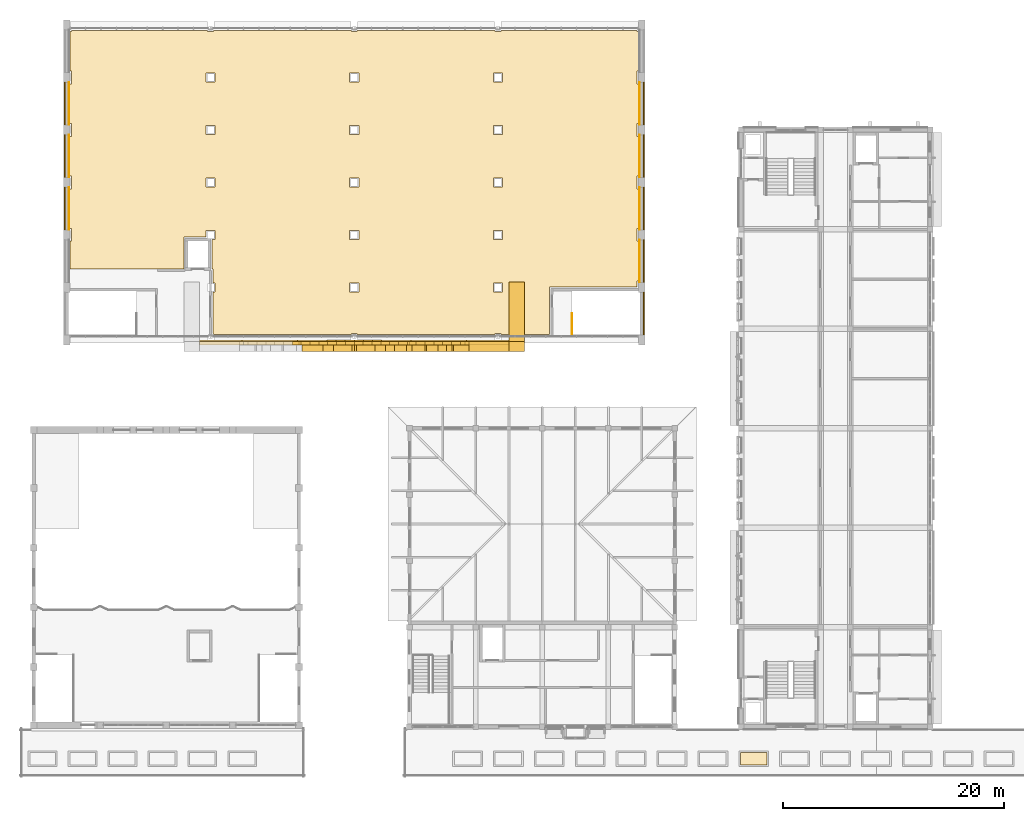
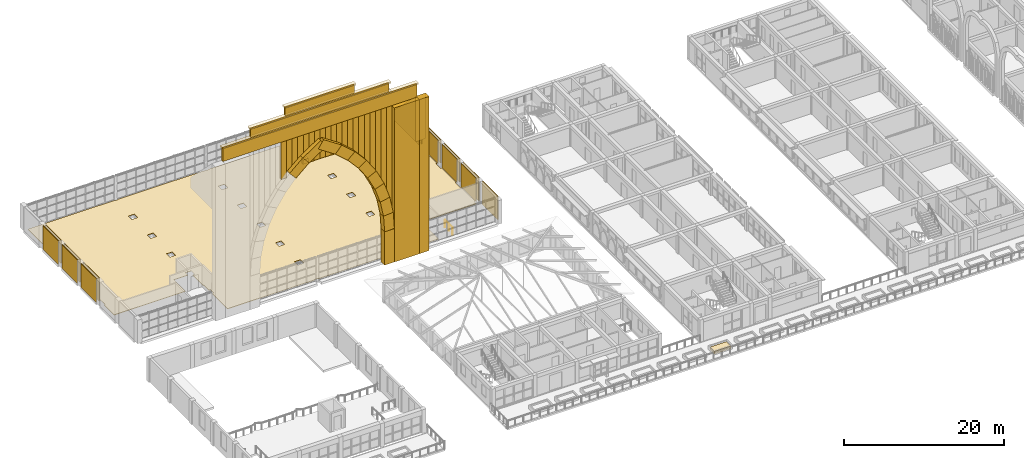
# One storey, part 70 of 82: 63 coverings, 1 railing.
"""IFC4 building model written with IfcOpenShell, lengths in metres."""

from ifc_helpers import new_model, si_unit, direction, frame, frame_2d, origin, origin_2d, place, context, subcontext, project, spatial, polyline, rectangle, circle, outline, extrude, material, layer, layer_set, type_object, element, save


model = new_model("IFC4")

# Units and contexts
model_context = context("Model", 3, precision=1e-05, world=origin(), true_north=direction((0.0, 1.0)))
body_context = subcontext(model_context, "Body", "Model", "MODEL_VIEW")
ifc_project = project(units=[si_unit("LENGTHUNIT", "METRE"), si_unit("AREAUNIT", "SQUARE_METRE"), si_unit("VOLUMEUNIT", "CUBIC_METRE"), si_unit("PLANEANGLEUNIT", "RADIAN"), si_unit("MASSUNIT", "GRAM", prefix="KILO")], contexts=[model_context])

# Site, building, storey
site_placement = place(None, origin())
site = spatial("IfcSite", under=ifc_project, at=site_placement, CompositionType="ELEMENT")
building_placement = place(site_placement, origin())
building = spatial("IfcBuilding", under=site, at=building_placement, Name="Elbe Cascade School", CompositionType="ELEMENT")
storey_placement = place(building_placement, frame((0.0, 0.0, 4.5)))
storey = spatial("IfcBuildingStorey", under=building, at=storey_placement, Name="L01", CompositionType="ELEMENT", Elevation=4.5)

# Coverings
ifc_material_1 = material(Name="Brick masonry - red clinker", Category="masonry")
ifc_layer_1 = layer(ifc_material_1, 0.10009765625)
ifc_layer_set_1 = layer_set([ifc_layer_1], Name="Brick masonry - red clinker")
covering_type_1 = type_object("IfcCoveringType", Name="Hall brick cladding first storey 3600", PredefinedType="CLADDING", material=ifc_layer_set_1)
for number, where, z_axis, x_axis, name in (
    (1, (7.800048828125, 52.875, 0.0), (0.0, 0.0, 1.0), (1.0, 0.0, 0.0), "Brick cladding W3"),
    (2, (7.800048828125, 57.625, 0.0), (0.0, 0.0, 1.0), (1.0, 0.0, 0.0), "Brick cladding W4"),
    (3, (7.800048828125, 62.375, 0.0), (0.0, 0.0, 1.0), (1.0, 0.0, 0.0), "Brick cladding W5"),
    (4, (60.199951171875, 43.375, 0.0), (0.0, 0.0, 1.0), (1.0, 0.0, 0.0), "Brick cladding E1"),
    (5, (60.199951171875, 48.125, 0.0), (0.0, 0.0, 1.0), (1.0, 0.0, 0.0), "Brick cladding E2"),
    (6, (60.199951171875, 52.875, 0.0), (0.0, 0.0, 1.0), (1.0, 0.0, 0.0), "Brick cladding E3"),
    (7, (60.199951171875, 57.625, 0.0), (0.0, 0.0, 1.0), (1.0, 0.0, 0.0), "Brick cladding E4"),
    (8, (60.199951171875, 62.375, 0.0), (0.0, 0.0, 1.0), (1.0, 0.0, 0.0), "Brick cladding E5"),
):
    element("IfcCovering", number, at=place(storey_placement, frame(where, z_axis=z_axis, x_axis=x_axis)), inside=storey, type_object=covering_type_1, Name=name, PredefinedType="CLADDING", context=body_context, shape_type="SweptSolid", body=[
        extrude(rectangle(XDim=0.10009765625, YDim=3.85009765625, at=origin_2d()), origin(), (0.0, 0.0, 1.0), 3.60009765625),
    ])
ifc_material_2 = material(Name="Timber - impact-resistant panel", Category="wood")
ifc_layer_2 = layer(ifc_material_2, 0.0400390625)
ifc_layer_set_2 = layer_set([ifc_layer_2], Name="Timber - impact-resistant panel")
covering_type_2 = type_object("IfcCoveringType", Name="Hall impact lining lower course 3600", PredefinedType="CLADDING", material=ifc_layer_set_2)
for number, where, z_axis, x_axis, name in (
    (9, (8.169921875, 52.875, 0.0), (0.0, 0.0, 1.0), (1.0, 0.0, 0.0), "Impact lining W3"),
    (10, (8.169921875, 57.625, 0.0), (0.0, 0.0, 1.0), (1.0, 0.0, 0.0), "Impact lining W4"),
    (11, (8.169921875, 62.375, 0.0), (0.0, 0.0, 1.0), (1.0, 0.0, 0.0), "Impact lining W5"),
    (12, (59.830078125, 48.125, 0.0), (0.0, 0.0, 1.0), (1.0, 0.0, 0.0), "Impact lining E2"),
    (13, (59.830078125, 52.875, 0.0), (0.0, 0.0, 1.0), (1.0, 0.0, 0.0), "Impact lining E3"),
    (14, (59.830078125, 57.625, 0.0), (0.0, 0.0, 1.0), (1.0, 0.0, 0.0), "Impact lining E4"),
    (15, (59.830078125, 62.375, 0.0), (0.0, 0.0, 1.0), (1.0, 0.0, 0.0), "Impact lining E5"),
):
    element("IfcCovering", number, at=place(storey_placement, frame(where, z_axis=z_axis, x_axis=x_axis)), inside=storey, type_object=covering_type_2, Name=name, PredefinedType="CLADDING", context=body_context, shape_type="SweptSolid", body=[
        extrude(rectangle(XDim=0.0400390625, YDim=3.85009765625, at=origin_2d()), origin(), (0.0, 0.0, 1.0), 3.60009765625),
    ])
ifc_material_3 = material(Name="Sandstone - red, precast facing", Category="masonry")
covering_type_3 = type_object("IfcCoveringType", Name="Hall pishtaq arch band 1400 x 900", PredefinedType="CLADDING", material=ifc_material_3)
covering_1_placement = place(storey_placement, frame((29.739501953125, 40.409912109375, 18.289794921875), z_axis=(0.751809978576, 0.0, 0.659379826893), x_axis=(0.0, 1.0, 0.0)))
element("IfcCovering", 16, at=covering_1_placement, inside=storey, type_object=covering_type_3, Name="Hall pishtaq arch band 1400 x 900 CV90", PredefinedType="CLADDING", context=body_context, shape_type="SweptSolid", body=[
    extrude(rectangle(XDim=0.89990234375, YDim=1.39990234375, at=origin_2d()), origin(), (0.0, 0.0, 1.0), 2.546142578125),
])
covering_2_placement = place(storey_placement, frame((31.57470703125, 40.409912109375, 19.907958984375), z_axis=(0.831465951312, 0.0, 0.555575712041), x_axis=(0.0, 1.0, 0.0)))
element("IfcCovering", 17, at=covering_2_placement, inside=storey, type_object=covering_type_3, Name="Hall pishtaq arch band 1400 x 900 CV90", PredefinedType="CLADDING", context=body_context, shape_type="SweptSolid", body=[
    extrude(rectangle(XDim=0.89990234375, YDim=1.39990234375, at=origin_2d()), origin(), (0.0, 0.0, 1.0), 3.152099609375),
])
covering_3_placement = place(storey_placement, frame((43.699951171875, 40.409912109375, 5.10009765625), z_axis=(-0.065434839137, 0.0, 0.997856844356), x_axis=(0.0, -1.0, 0.0)))
element("IfcCovering", 18, at=covering_3_placement, inside=storey, type_object=covering_type_3, Name="Hall pishtaq arch band 1400 x 900 CV90", PredefinedType="CLADDING", context=body_context, shape_type="SweptSolid", body=[
    extrude(rectangle(XDim=0.89990234375, YDim=1.39990234375, at=origin_2d()), origin(), (0.0, 0.0, 1.0), 2.49609375),
])
covering_4_placement = place(storey_placement, frame((43.5498046875, 40.409912109375, 7.49169921875), z_axis=(-0.195120333973, 0.0, 0.980779310176), x_axis=(0.0, -1.0, 0.0)))
element("IfcCovering", 19, at=covering_4_placement, inside=storey, type_object=covering_type_3, Name="Hall pishtaq arch band 1400 x 900 CV90", PredefinedType="CLADDING", context=body_context, shape_type="SweptSolid", body=[
    extrude(rectangle(XDim=0.89990234375, YDim=1.39990234375, at=origin_2d()), origin(), (0.0, 0.0, 1.0), 2.546142578125),
])
covering_5_placement = place(storey_placement, frame((43.078857421875, 40.409912109375, 9.892578125), z_axis=(-0.321429937708, 0.0, 0.946933363624), x_axis=(0.0, -1.0, 0.0)))
element("IfcCovering", 20, at=covering_5_placement, inside=storey, type_object=covering_type_3, Name="Hall pishtaq arch band 1400 x 900 CV90", PredefinedType="CLADDING", context=body_context, shape_type="SweptSolid", body=[
    extrude(rectangle(XDim=0.89990234375, YDim=1.39990234375, at=origin_2d()), origin(), (0.0, 0.0, 1.0), 2.5458984375),
])
for number, where, z_axis, x_axis, name in (
    (21, (42.298583984375, 40.409912109375, 12.211181640625), (-0.442220637859, 0.0, 0.896906298033), (0.0, -1.0, 0.0), "Hall pishtaq arch band 1400 x 900 CV90"),
    (22, (41.222412109375, 40.409912109375, 14.408447265625), (-0.555585018202, 0.0, 0.83145973297), (0.0, -1.0, 0.0), "Hall pishtaq arch band 1400 x 900 CV90"),
    (23, (39.86865234375, 40.409912109375, 16.4462890625), (-0.659325627554, 0.0, 0.751857511002), (0.0, -1.0, 0.0), "Hall pishtaq arch band 1400 x 900 CV90"),
    (24, (38.260498046875, 40.409912109375, 18.289794921875), (-0.751809978576, 0.0, 0.659379826893), (0.0, -1.0, 0.0), "Hall pishtaq arch band 1400 x 900 CV90"),
):
    element("IfcCovering", number, at=place(storey_placement, frame(where, z_axis=z_axis, x_axis=x_axis)), inside=storey, type_object=covering_type_3, Name=name, PredefinedType="CLADDING", context=body_context, shape_type="SweptSolid", body=[
        extrude(rectangle(XDim=0.89990234375, YDim=1.39990234375, at=origin_2d()), origin(), (0.0, 0.0, 1.0), 2.546142578125),
    ])
covering_6_placement = place(storey_placement, frame((36.42529296875, 40.409912109375, 19.907958984375), z_axis=(-0.831465951312, 0.0, 0.555575712041), x_axis=(0.0, -1.0, 0.0)))
element("IfcCovering", 25, at=covering_6_placement, inside=storey, type_object=covering_type_3, Name="Hall pishtaq arch band 1400 x 900 CV90", PredefinedType="CLADDING", context=body_context, shape_type="SweptSolid", body=[
    extrude(rectangle(XDim=0.89990234375, YDim=1.39990234375, at=origin_2d()), origin(), (0.0, 0.0, 1.0), 3.152099609375),
])
ifc_material_4 = material(Name="Sandstone - red, precast facing", Category="masonry")
ifc_layer_3 = layer(ifc_material_4, 1.39990234375)
ifc_layer_set_3 = layer_set([ifc_layer_3], Name="Sandstone - red, precast facing")
covering_type_4 = type_object("IfcCoveringType", Name="Hall pishtaq buttress 1400", PredefinedType="CLADDING", material=ifc_layer_set_3)
covering_7_placement = place(storey_placement, frame((48.699951171875, 40.860107421875, 0.0), z_axis=(0.0, 0.0, 1.0), x_axis=(0.0, -1.0, 0.0)))
element("IfcCovering", 26, at=covering_7_placement, inside=storey, type_object=covering_type_4, Name="Hall pishtaq buttress 1400 CV84", PredefinedType="CLADDING", context=body_context, shape_type="SweptSolid", body=[
    extrude(rectangle(XDim=0.900146484375, YDim=1.39990234375, at=frame_2d((0.4501953125, 0.0))), origin(), (0.0, 0.0, 1.0), 23.5),
])
covering_8_placement = place(storey_placement, frame((48.699951171875, 40.860107421875, 16.5283203125), z_axis=(0.0, 0.0, 1.0), x_axis=(0.0, 1.0, 0.0)))
element("IfcCovering", 27, at=covering_8_placement, inside=storey, type_object=covering_type_4, Name="Hall pishtaq buttress 1400 CV84", PredefinedType="CLADDING", context=body_context, shape_type="SweptSolid", body=[
    extrude(outline(polyline([(0.0, 0.0), (5.39990234375, 0.0), (5.39990234375, 1.57177734375), (0.0, 6.9716796875), (0.0, 0.0)])), frame((0.0, 0.699951171875, 0.0), z_axis=(0.0, -1.0, 0.0), x_axis=(1.0, 0.0, 0.0)), (0.0, 0.0, 1.0), 1.39990234375),
])
ifc_material_5 = material(Name="Sandstone - red, precast facing", Category="masonry")
ifc_layer_4 = layer(ifc_material_5, 0.300048828125)
ifc_layer_set_4 = layer_set([ifc_layer_4], Name="Sandstone - red, precast facing")
covering_type_5 = type_object("IfcCoveringType", Name="Hall pishtaq cladding 300", PredefinedType="CLADDING", material=ifc_layer_set_4)
covering_9_placement = place(storey_placement, frame((20.0, 40.7099609375, 23.5), z_axis=(0.0, 0.0, 1.0), x_axis=(1.0, 0.0, 0.0)))
element("IfcCovering", 28, at=covering_9_placement, inside=storey, type_object=covering_type_5, Name="Hall pishtaq cladding 300 CV86", PredefinedType="CLADDING", context=body_context, shape_type="SweptSolid", body=[
    extrude(rectangle(XDim=28.0, YDim=0.300048828125, at=frame_2d((14.0, 0.0))), origin(), (0.0, 0.0, 1.0), 2.0),
])
covering_10_placement = place(storey_placement, frame((24.0, 40.7099609375, 25.75), z_axis=(0.0, 0.0, 1.0), x_axis=(1.0, 0.0, 0.0)))
element("IfcCovering", 29, at=covering_10_placement, inside=storey, type_object=covering_type_5, Name="Hall pishtaq cladding 300 CV86", PredefinedType="CLADDING", context=body_context, shape_type="SweptSolid", body=[
    extrude(rectangle(XDim=20.0, YDim=0.300048828125, at=frame_2d((10.0, 0.0))), origin(), (0.0, 0.0, 1.0), 1.300048828125),
])
covering_11_placement = place(storey_placement, frame((29.0, 40.7099609375, 27.300048828125), z_axis=(0.0, 0.0, 1.0), x_axis=(1.0, 0.0, 0.0)))
element("IfcCovering", 30, at=covering_11_placement, inside=storey, type_object=covering_type_5, Name="Hall pishtaq cladding 300 CV86", PredefinedType="CLADDING", context=body_context, shape_type="SweptSolid", body=[
    extrude(rectangle(XDim=10.0, YDim=0.300048828125, at=frame_2d((5.0, 0.0))), origin(), (0.0, 0.0, 1.0), 1.25),
])
covering_12_placement = place(storey_placement, frame((34.0, 40.7099609375, 21.792724609375), z_axis=(0.0, 0.0, 1.0), x_axis=(1.0, 0.0, 0.0)))
element("IfcCovering", 31, at=covering_12_placement, inside=storey, type_object=covering_type_5, Name="Hall pishtaq cladding 300 CV86", PredefinedType="CLADDING", context=body_context, shape_type="SweptSolid", body=[
    extrude(rectangle(XDim=0.800048828125, YDim=0.300048828125, at=frame_2d((0.39990234375, 0.0))), origin(), (0.0, 0.0, 1.0), 1.707275390625),
])
covering_13_placement = place(storey_placement, frame((34.800048828125, 40.7099609375, 21.298095703125), z_axis=(0.0, 0.0, 1.0), x_axis=(1.0, 0.0, 0.0)))
element("IfcCovering", 32, at=covering_13_placement, inside=storey, type_object=covering_type_5, Name="Hall pishtaq cladding 300 CV86", PredefinedType="CLADDING", context=body_context, shape_type="SweptSolid", body=[
    extrude(rectangle(XDim=0.800048828125, YDim=0.300048828125, at=frame_2d((0.39990234375, 0.0))), origin(), (0.0, 0.0, 1.0), 2.201904296875),
])
covering_14_placement = place(storey_placement, frame((35.60009765625, 40.7099609375, 20.7470703125), z_axis=(0.0, 0.0, 1.0), x_axis=(1.0, 0.0, 0.0)))
element("IfcCovering", 33, at=covering_14_placement, inside=storey, type_object=covering_type_5, Name="Hall pishtaq cladding 300 CV86", PredefinedType="CLADDING", context=body_context, shape_type="SweptSolid", body=[
    extrude(rectangle(XDim=0.7998046875, YDim=0.300048828125, at=frame_2d((0.39990234375, 0.0))), origin(), (0.0, 0.0, 1.0), 2.7529296875),
])
covering_15_placement = place(storey_placement, frame((36.39990234375, 40.7099609375, 20.1337890625), z_axis=(0.0, 0.0, 1.0), x_axis=(1.0, 0.0, 0.0)))
element("IfcCovering", 34, at=covering_15_placement, inside=storey, type_object=covering_type_5, Name="Hall pishtaq cladding 300 CV86", PredefinedType="CLADDING", context=body_context, shape_type="SweptSolid", body=[
    extrude(rectangle(XDim=0.800048828125, YDim=0.300048828125, at=frame_2d((0.39990234375, 0.0))), origin(), (0.0, 0.0, 1.0), 3.3662109375),
])
covering_16_placement = place(storey_placement, frame((37.199951171875, 40.7099609375, 19.449951171875), z_axis=(0.0, 0.0, 1.0), x_axis=(1.0, 0.0, 0.0)))
element("IfcCovering", 35, at=covering_16_placement, inside=storey, type_object=covering_type_5, Name="Hall pishtaq cladding 300 CV86", PredefinedType="CLADDING", context=body_context, shape_type="SweptSolid", body=[
    extrude(rectangle(XDim=0.800048828125, YDim=0.300048828125, at=frame_2d((0.39990234375, 0.0))), origin(), (0.0, 0.0, 1.0), 4.050048828125),
])
covering_17_placement = place(storey_placement, frame((38.0, 40.7099609375, 18.685302734375), z_axis=(0.0, 0.0, 1.0), x_axis=(1.0, 0.0, 0.0)))
element("IfcCovering", 36, at=covering_17_placement, inside=storey, type_object=covering_type_5, Name="Hall pishtaq cladding 300 CV86", PredefinedType="CLADDING", context=body_context, shape_type="SweptSolid", body=[
    extrude(rectangle(XDim=0.800048828125, YDim=0.300048828125, at=frame_2d((0.39990234375, 0.0))), origin(), (0.0, 0.0, 1.0), 4.814697265625),
])
for number, where, z_axis, x_axis, name in (
    (37, (28.39990234375, 40.7099609375, 17.824951171875), (0.0, 0.0, 1.0), (1.0, 0.0, 0.0), "Hall pishtaq cladding 300 CV86"),
    (38, (38.800048828125, 40.7099609375, 17.824951171875), (0.0, 0.0, 1.0), (1.0, 0.0, 0.0), "Hall pishtaq cladding 300 CV86"),
):
    element("IfcCovering", number, at=place(storey_placement, frame(where, z_axis=z_axis, x_axis=x_axis)), inside=storey, type_object=covering_type_5, Name=name, PredefinedType="CLADDING", context=body_context, shape_type="SweptSolid", body=[
        extrude(rectangle(XDim=0.800048828125, YDim=0.300048828125, at=frame_2d((0.39990234375, 0.0))), origin(), (0.0, 0.0, 1.0), 5.675048828125),
    ])
covering_18_placement = place(storey_placement, frame((29.199951171875, 40.7099609375, 18.685302734375), z_axis=(0.0, 0.0, 1.0), x_axis=(1.0, 0.0, 0.0)))
element("IfcCovering", 39, at=covering_18_placement, inside=storey, type_object=covering_type_5, Name="Hall pishtaq cladding 300 CV86", PredefinedType="CLADDING", context=body_context, shape_type="SweptSolid", body=[
    extrude(rectangle(XDim=0.800048828125, YDim=0.300048828125, at=frame_2d((0.39990234375, 0.0))), origin(), (0.0, 0.0, 1.0), 4.814697265625),
])
covering_19_placement = place(storey_placement, frame((39.60009765625, 40.7099609375, 16.848388671875), z_axis=(0.0, 0.0, 1.0), x_axis=(1.0, 0.0, 0.0)))
element("IfcCovering", 40, at=covering_19_placement, inside=storey, type_object=covering_type_5, Name="Hall pishtaq cladding 300 CV86", PredefinedType="CLADDING", context=body_context, shape_type="SweptSolid", body=[
    extrude(rectangle(XDim=0.7998046875, YDim=0.300048828125, at=frame_2d((0.39990234375, 0.0))), origin(), (0.0, 0.0, 1.0), 6.651611328125),
])
covering_20_placement = place(storey_placement, frame((30.0, 40.7099609375, 19.449951171875), z_axis=(0.0, 0.0, 1.0), x_axis=(1.0, 0.0, 0.0)))
element("IfcCovering", 41, at=covering_20_placement, inside=storey, type_object=covering_type_5, Name="Hall pishtaq cladding 300 CV86", PredefinedType="CLADDING", context=body_context, shape_type="SweptSolid", body=[
    extrude(rectangle(XDim=0.800048828125, YDim=0.300048828125, at=frame_2d((0.39990234375, 0.0))), origin(), (0.0, 0.0, 1.0), 4.050048828125),
])
covering_21_placement = place(storey_placement, frame((40.39990234375, 40.7099609375, 15.723388671875), z_axis=(0.0, 0.0, 1.0), x_axis=(1.0, 0.0, 0.0)))
element("IfcCovering", 42, at=covering_21_placement, inside=storey, type_object=covering_type_5, Name="Hall pishtaq cladding 300 CV86", PredefinedType="CLADDING", context=body_context, shape_type="SweptSolid", body=[
    extrude(rectangle(XDim=0.800048828125, YDim=0.300048828125, at=frame_2d((0.39990234375, 0.0))), origin(), (0.0, 0.0, 1.0), 7.776611328125),
])
covering_22_placement = place(storey_placement, frame((30.800048828125, 40.7099609375, 20.1337890625), z_axis=(0.0, 0.0, 1.0), x_axis=(1.0, 0.0, 0.0)))
element("IfcCovering", 43, at=covering_22_placement, inside=storey, type_object=covering_type_5, Name="Hall pishtaq cladding 300 CV86", PredefinedType="CLADDING", context=body_context, shape_type="SweptSolid", body=[
    extrude(rectangle(XDim=0.800048828125, YDim=0.300048828125, at=frame_2d((0.39990234375, 0.0))), origin(), (0.0, 0.0, 1.0), 3.3662109375),
])
covering_23_placement = place(storey_placement, frame((41.199951171875, 40.7099609375, 14.396728515625), z_axis=(0.0, 0.0, 1.0), x_axis=(1.0, 0.0, 0.0)))
element("IfcCovering", 44, at=covering_23_placement, inside=storey, type_object=covering_type_5, Name="Hall pishtaq cladding 300 CV86", PredefinedType="CLADDING", context=body_context, shape_type="SweptSolid", body=[
    extrude(rectangle(XDim=0.800048828125, YDim=0.300048828125, at=frame_2d((0.39990234375, 0.0))), origin(), (0.0, 0.0, 1.0), 9.103271484375),
])
covering_24_placement = place(storey_placement, frame((31.60009765625, 40.7099609375, 20.7470703125), z_axis=(0.0, 0.0, 1.0), x_axis=(1.0, 0.0, 0.0)))
element("IfcCovering", 45, at=covering_24_placement, inside=storey, type_object=covering_type_5, Name="Hall pishtaq cladding 300 CV86", PredefinedType="CLADDING", context=body_context, shape_type="SweptSolid", body=[
    extrude(rectangle(XDim=0.7998046875, YDim=0.300048828125, at=frame_2d((0.39990234375, 0.0))), origin(), (0.0, 0.0, 1.0), 2.7529296875),
])
covering_25_placement = place(storey_placement, frame((42.0, 40.7099609375, 12.764892578125), z_axis=(0.0, 0.0, 1.0), x_axis=(1.0, 0.0, 0.0)))
element("IfcCovering", 46, at=covering_25_placement, inside=storey, type_object=covering_type_5, Name="Hall pishtaq cladding 300 CV86", PredefinedType="CLADDING", context=body_context, shape_type="SweptSolid", body=[
    extrude(rectangle(XDim=0.800048828125, YDim=0.300048828125, at=frame_2d((0.39990234375, 0.0))), origin(), (0.0, 0.0, 1.0), 10.735107421875),
])
covering_26_placement = place(storey_placement, frame((32.39990234375, 40.7099609375, 21.298095703125), z_axis=(0.0, 0.0, 1.0), x_axis=(1.0, 0.0, 0.0)))
element("IfcCovering", 47, at=covering_26_placement, inside=storey, type_object=covering_type_5, Name="Hall pishtaq cladding 300 CV86", PredefinedType="CLADDING", context=body_context, shape_type="SweptSolid", body=[
    extrude(rectangle(XDim=0.800048828125, YDim=0.300048828125, at=frame_2d((0.39990234375, 0.0))), origin(), (0.0, 0.0, 1.0), 2.201904296875),
])
covering_27_placement = place(storey_placement, frame((42.800048828125, 40.7099609375, 10.563720703125), z_axis=(0.0, 0.0, 1.0), x_axis=(1.0, 0.0, 0.0)))
element("IfcCovering", 48, at=covering_27_placement, inside=storey, type_object=covering_type_5, Name="Hall pishtaq cladding 300 CV86", PredefinedType="CLADDING", context=body_context, shape_type="SweptSolid", body=[
    extrude(rectangle(XDim=0.800048828125, YDim=0.300048828125, at=frame_2d((0.39990234375, 0.0))), origin(), (0.0, 0.0, 1.0), 12.936279296875),
])
covering_28_placement = place(storey_placement, frame((33.199951171875, 40.7099609375, 21.792724609375), z_axis=(0.0, 0.0, 1.0), x_axis=(1.0, 0.0, 0.0)))
element("IfcCovering", 49, at=covering_28_placement, inside=storey, type_object=covering_type_5, Name="Hall pishtaq cladding 300 CV86", PredefinedType="CLADDING", context=body_context, shape_type="SweptSolid", body=[
    extrude(rectangle(XDim=0.800048828125, YDim=0.300048828125, at=frame_2d((0.39990234375, 0.0))), origin(), (0.0, 0.0, 1.0), 1.707275390625),
])
covering_29_placement = place(storey_placement, frame((43.60009765625, 40.7099609375, 5.050048828125), z_axis=(0.0, 0.0, 1.0), x_axis=(1.0, 0.0, 0.0)))
element("IfcCovering", 50, at=covering_29_placement, inside=storey, type_object=covering_type_5, Name="Hall pishtaq cladding 300 CV86", PredefinedType="CLADDING", context=body_context, shape_type="SweptSolid", body=[
    extrude(rectangle(XDim=0.7998046875, YDim=0.300048828125, at=frame_2d((0.39990234375, 0.0))), origin(), (0.0, 0.0, 1.0), 18.449951171875),
])
ifc_material_6 = material(Name="Sandstone - red, precast facing", Category="masonry")
ifc_layer_5 = layer(ifc_material_6, 0.60009765625)
ifc_layer_set_5 = layer_set([ifc_layer_5], Name="Sandstone - red, precast facing")
covering_type_6 = type_object("IfcCoveringType", Name="Hall pishtaq coping 600", PredefinedType="CLADDING", material=ifc_layer_set_5)
covering_30_placement = place(storey_placement, frame((19.85009765625, 40.7099609375, 25.5), z_axis=(0.0, 0.0, 1.0), x_axis=(1.0, 0.0, 0.0)))
element("IfcCovering", 51, at=covering_30_placement, inside=storey, type_object=covering_type_6, Name="Hall pishtaq coping 600 CV87", PredefinedType="CLADDING", context=body_context, shape_type="SweptSolid", body=[
    extrude(rectangle(XDim=28.2998046875, YDim=0.60009765625, at=frame_2d((14.14990234375, 0.0))), origin(), (0.0, 0.0, 1.0), 0.25),
])
covering_31_placement = place(storey_placement, frame((23.85009765625, 40.7099609375, 27.050048828125), z_axis=(0.0, 0.0, 1.0), x_axis=(1.0, 0.0, 0.0)))
element("IfcCovering", 52, at=covering_31_placement, inside=storey, type_object=covering_type_6, Name="Hall pishtaq coping 600 CV87", PredefinedType="CLADDING", context=body_context, shape_type="SweptSolid", body=[
    extrude(rectangle(XDim=20.2998046875, YDim=0.60009765625, at=frame_2d((10.14990234375, 0.0))), origin(), (0.0, 0.0, 1.0), 0.25),
])
covering_32_placement = place(storey_placement, frame((28.85009765625, 40.7099609375, 28.550048828125), z_axis=(0.0, 0.0, 1.0), x_axis=(1.0, 0.0, 0.0)))
element("IfcCovering", 53, at=covering_32_placement, inside=storey, type_object=covering_type_6, Name="Hall pishtaq coping 600 CV87", PredefinedType="CLADDING", context=body_context, shape_type="SweptSolid", body=[
    extrude(rectangle(XDim=10.2998046875, YDim=0.60009765625, at=frame_2d((5.14990234375, 0.0))), origin(), (0.0, 0.0, 1.0), 0.25),
])
ifc_material_7 = material(Name="Sandstone - red, precast facing", Category="masonry")
ifc_layer_6 = layer(ifc_material_7, 0.89990234375)
ifc_layer_set_6 = layer_set([ifc_layer_6], Name="Sandstone - red, precast facing")
covering_type_7 = type_object("IfcCoveringType", Name="Hall pishtaq pier 900", PredefinedType="CLADDING", material=ifc_layer_set_6)
covering_33_placement = place(storey_placement, frame((44.39990234375, 40.409912109375, 0.0), z_axis=(0.0, 0.0, 1.0), x_axis=(1.0, 0.0, 0.0)))
element("IfcCovering", 54, at=covering_33_placement, inside=storey, type_object=covering_type_7, Name="Hall pishtaq pier 900 CV89", PredefinedType="CLADDING", context=body_context, shape_type="SweptSolid", body=[
    extrude(rectangle(XDim=3.60009765625, YDim=0.89990234375, at=frame_2d((1.800048828125, 0.0))), origin(), (0.0, 0.0, 1.0), 23.5),
])
covering_34_placement = place(storey_placement, frame((43.0, 40.409912109375, 0.0), z_axis=(0.0, 0.0, 1.0), x_axis=(1.0, 0.0, 0.0)))
element("IfcCovering", 55, at=covering_34_placement, inside=storey, type_object=covering_type_7, Name="Hall pishtaq pier 900 CV89", PredefinedType="CLADDING", context=body_context, shape_type="SweptSolid", body=[
    extrude(rectangle(XDim=1.39990234375, YDim=0.89990234375, at=frame_2d((0.699951171875, 0.0))), origin(), (0.0, 0.0, 1.0), 5.10009765625),
])
ifc_material_8 = material(Name="Sandstone - red, precast facing", Category="masonry")
ifc_layer_7 = layer(ifc_material_8, 0.43994140625)
ifc_layer_set_7 = layer_set([ifc_layer_7], Name="Sandstone - red, precast facing")
covering_type_8 = type_object("IfcCoveringType", Name="Hall pishtaq tympanum 440", PredefinedType="CLADDING", material=ifc_layer_set_7)
covering_35_placement = place(storey_placement, frame((34.0, 40.780029296875, 19.052001953125), z_axis=(0.0, 0.0, 1.0), x_axis=(1.0, 0.0, 0.0)))
element("IfcCovering", 56, at=covering_35_placement, inside=storey, type_object=covering_type_8, Name="Hall pishtaq tympanum 440 CV88", PredefinedType="CLADDING", context=body_context, shape_type="SweptSolid", body=[
    extrude(rectangle(XDim=0.818115234375, YDim=0.43994140625, at=frame_2d((0.4091796875, 0.0))), origin(), (0.0, 0.0, 1.0), 1.6865234375),
])
covering_36_placement = place(storey_placement, frame((34.818115234375, 40.780029296875, 19.03564453125), z_axis=(0.0, 0.0, 1.0), x_axis=(1.0, 0.0, 0.0)))
element("IfcCovering", 57, at=covering_36_placement, inside=storey, type_object=covering_type_8, Name="Hall pishtaq tympanum 440 CV88", PredefinedType="CLADDING", context=body_context, shape_type="SweptSolid", body=[
    extrude(rectangle(XDim=0.818359375, YDim=0.43994140625, at=frame_2d((0.4091796875, 0.0))), origin(), (0.0, 0.0, 1.0), 1.200927734375),
])
for number, where, z_axis, x_axis, name in (
    (58, (35.636474609375, 40.780029296875, 18.99853515625), (0.0, 0.0, 1.0), (1.0, 0.0, 0.0), "Hall pishtaq tympanum 440 CV88"),
    (59, (31.54541015625, 40.780029296875, 18.99853515625), (0.0, 0.0, 1.0), (1.0, 0.0, 0.0), "Hall pishtaq tympanum 440 CV88"),
):
    element("IfcCovering", number, at=place(storey_placement, frame(where, z_axis=z_axis, x_axis=x_axis)), inside=storey, type_object=covering_type_8, Name=name, PredefinedType="CLADDING", context=body_context, shape_type="SweptSolid", body=[
        extrude(rectangle(XDim=0.818115234375, YDim=0.43994140625, at=frame_2d((0.4091796875, 0.0))), origin(), (0.0, 0.0, 1.0), 0.6728515625),
    ])
covering_37_placement = place(storey_placement, frame((32.363525390625, 40.780029296875, 19.03564453125), z_axis=(0.0, 0.0, 1.0), x_axis=(1.0, 0.0, 0.0)))
element("IfcCovering", 60, at=covering_37_placement, inside=storey, type_object=covering_type_8, Name="Hall pishtaq tympanum 440 CV88", PredefinedType="CLADDING", context=body_context, shape_type="SweptSolid", body=[
    extrude(rectangle(XDim=0.818359375, YDim=0.43994140625, at=frame_2d((0.4091796875, 0.0))), origin(), (0.0, 0.0, 1.0), 1.200927734375),
])
covering_38_placement = place(storey_placement, frame((33.181884765625, 40.780029296875, 19.052001953125), z_axis=(0.0, 0.0, 1.0), x_axis=(1.0, 0.0, 0.0)))
element("IfcCovering", 61, at=covering_38_placement, inside=storey, type_object=covering_type_8, Name="Hall pishtaq tympanum 440 CV88", PredefinedType="CLADDING", context=body_context, shape_type="SweptSolid", body=[
    extrude(rectangle(XDim=0.818115234375, YDim=0.43994140625, at=frame_2d((0.4091796875, 0.0))), origin(), (0.0, 0.0, 1.0), 1.6865234375),
])
ifc_material_9 = material(Name="Timber - sprung sports floor", Category="wood")
ifc_layer_8 = layer(ifc_material_9, 0.06005859375)
ifc_layer_set_8 = layer_set([ifc_layer_8], Name="Timber - sprung sports floor")
covering_type_9 = type_object("IfcCoveringType", Name="Hall sprung sports floor", PredefinedType="FLOORING", material=ifc_layer_set_8)
covering_39_placement = place(storey_placement, origin())
element("IfcCovering", 62, at=covering_39_placement, inside=storey, type_object=covering_type_9, Name="Sprung sports floor", PredefinedType="FLOORING", context=body_context, shape_type="SweptSolid", body=[
    extrude(outline(polyline([(8.27001953125, 68.929931640625), (8.419921875, 68.929931640625), (8.419921875, 69.0048828125), (20.72998046875, 69.0048828125), (20.72998046875, 68.929931640625), (21.27001953125, 68.929931640625), (21.27001953125, 69.0048828125), (33.72998046875, 69.0048828125), (33.72998046875, 68.929931640625), (34.27001953125, 68.929931640625), (34.27001953125, 69.0048828125), (46.72998046875, 69.0048828125), (46.72998046875, 68.929931640625), (47.27001953125, 68.929931640625), (47.27001953125, 69.0048828125), (59.580078125, 69.0048828125), (59.580078125, 68.929931640625), (59.72998046875, 68.929931640625), (59.72998046875, 65.320068359375), (59.580078125, 65.320068359375), (59.580078125, 64.179931640625), (59.72998046875, 64.179931640625), (59.72998046875, 60.570068359375), (59.580078125, 60.570068359375), (59.580078125, 59.429931640625), (59.72998046875, 59.429931640625), (59.72998046875, 55.820068359375), (59.580078125, 55.820068359375), (59.580078125, 54.679931640625), (59.72998046875, 54.679931640625), (59.72998046875, 51.070068359375), (59.580078125, 51.070068359375), (59.580078125, 49.929931640625), (59.72998046875, 49.929931640625), (59.72998046875, 46.320068359375), (59.580078125, 46.320068359375), (59.580078125, 45.77001953125), (51.679931640625, 45.77001953125), (51.679931640625, 41.4951171875), (47.27001953125, 41.4951171875), (47.27001953125, 41.570068359375), (46.72998046875, 41.570068359375), (46.72998046875, 41.4951171875), (34.27001953125, 41.4951171875), (34.27001953125, 41.570068359375), (33.72998046875, 41.570068359375), (33.72998046875, 41.4951171875), (21.27001953125, 41.4951171875), (21.27001953125, 41.570068359375), (21.219970703125, 41.570068359375), (21.219970703125, 45.330078125), (21.419921875, 45.330078125), (21.419921875, 46.169921875), (21.219970703125, 46.169921875), (21.219970703125, 47.419921875), (21.1201171875, 47.419921875), (21.1201171875, 50.080078125), (21.419921875, 50.080078125), (21.419921875, 50.919921875), (20.580078125, 50.919921875), (20.580078125, 50.320068359375), (18.580078125, 50.320068359375), (18.580078125, 47.419921875), (8.27001953125, 47.419921875), (8.27001953125, 49.929931640625), (8.419921875, 49.929931640625), (8.419921875, 51.070068359375), (8.27001953125, 51.070068359375), (8.27001953125, 54.679931640625), (8.419921875, 54.679931640625), (8.419921875, 55.820068359375), (8.27001953125, 55.820068359375), (8.27001953125, 59.429931640625), (8.419921875, 59.429931640625), (8.419921875, 60.570068359375), (8.27001953125, 60.570068359375), (8.27001953125, 64.179931640625), (8.419921875, 64.179931640625), (8.419921875, 65.320068359375), (8.27001953125, 65.320068359375), (8.27001953125, 68.929931640625)]), holes=[polyline([(46.580078125, 54.830078125), (47.419921875, 54.830078125), (47.419921875, 55.669921875), (46.580078125, 55.669921875), (46.580078125, 54.830078125)]), polyline([(46.580078125, 59.580078125), (47.419921875, 59.580078125), (47.419921875, 60.419921875), (46.580078125, 60.419921875), (46.580078125, 59.580078125)]), polyline([(47.419921875, 45.330078125), (47.419921875, 46.169921875), (46.580078125, 46.169921875), (46.580078125, 45.330078125), (47.419921875, 45.330078125)]), polyline([(47.419921875, 50.080078125), (47.419921875, 50.919921875), (46.580078125, 50.919921875), (46.580078125, 50.080078125), (47.419921875, 50.080078125)]), polyline([(47.419921875, 64.330078125), (47.419921875, 65.169921875), (46.580078125, 65.169921875), (46.580078125, 64.330078125), (47.419921875, 64.330078125)]), polyline([(33.580078125, 45.330078125), (34.419921875, 45.330078125), (34.419921875, 46.169921875), (33.580078125, 46.169921875), (33.580078125, 45.330078125)]), polyline([(33.580078125, 54.830078125), (34.419921875, 54.830078125), (34.419921875, 55.669921875), (33.580078125, 55.669921875), (33.580078125, 54.830078125)]), polyline([(34.419921875, 50.080078125), (34.419921875, 50.919921875), (33.580078125, 50.919921875), (33.580078125, 50.080078125), (34.419921875, 50.080078125)]), polyline([(34.419921875, 59.580078125), (34.419921875, 60.419921875), (33.580078125, 60.419921875), (33.580078125, 59.580078125), (34.419921875, 59.580078125)]), polyline([(34.419921875, 64.330078125), (34.419921875, 65.169921875), (33.580078125, 65.169921875), (33.580078125, 64.330078125), (34.419921875, 64.330078125)]), polyline([(20.580078125, 54.830078125), (21.419921875, 54.830078125), (21.419921875, 55.669921875), (20.580078125, 55.669921875), (20.580078125, 54.830078125)]), polyline([(20.580078125, 59.580078125), (21.419921875, 59.580078125), (21.419921875, 60.419921875), (20.580078125, 60.419921875), (20.580078125, 59.580078125)]), polyline([(21.419921875, 64.330078125), (21.419921875, 65.169921875), (20.580078125, 65.169921875), (20.580078125, 64.330078125), (21.419921875, 64.330078125)])]), origin(), (0.0, 0.0, 1.0), 0.06005859375),
])

# Railing
ifc_material_10 = material(Name="Steel - painted guard", Category="steel")
railing_type = type_object("IfcRailingType", Name="Hall stair-well guard", PredefinedType="GUARDRAIL", material=ifc_material_10)
railing_placement = place(storey_placement, frame((53.699951171875, 41.5, 0.0)))
element("IfcRailing", 63, at=railing_placement, inside=storey, type_object=railing_type, Name="Stair-well guard E", PredefinedType="GUARDRAIL", context=body_context, shape_type="SweptSolid", body=[
    extrude(circle(Radius=0.02490234375, at=origin_2d()), frame((0.0, 0.0, 1.0751953125), z_axis=(0.0, 1.0, 0.0), x_axis=(-1.0, 0.0, 0.0)), (0.0, 0.0, 1.0), 1.875),
    extrude(circle(Radius=0.02490234375, at=origin_2d()), origin(), (0.0, 0.0, 1.0), 1.050048828125),
    extrude(circle(Radius=0.02490234375, at=origin_2d()), frame((0.0, 0.9375, 0.0)), (0.0, 0.0, 1.0), 1.050048828125),
    extrude(circle(Radius=0.02490234375, at=origin_2d()), frame((0.0, 1.875, 0.0)), (0.0, 0.0, 1.0), 1.050048828125),
])

# Covering
ifc_material_11 = material(Name="Planting - soil and shrubs", Category="soil")
ifc_layer_9 = layer(ifc_material_11, 0.39990234375)
ifc_layer_set_9 = layer_set([ifc_layer_9], Name="Planting - soil and shrubs")
covering_type_10 = type_object("IfcCoveringType", Name="Site planting bed 400", PredefinedType="USERDEFINED", material=ifc_layer_set_9)
covering_40_placement = place(storey_placement, frame((0.0, 0.0, 0.0400390625)))
element("IfcCovering", 64, at=covering_40_placement, inside=storey, type_object=covering_type_10, Name="Colonnade roof planting bed 14", ObjectType="PLANTING BED", PredefinedType="USERDEFINED", context=body_context, shape_type="SweptSolid", body=[
    extrude(outline(polyline([(68.949951171875, 2.550048828125), (71.35009765625, 2.550048828125), (71.35009765625, 3.64990234375), (68.949951171875, 3.64990234375), (68.949951171875, 2.550048828125)])), origin(), (0.0, 0.0, 1.0), 0.39990234375),
])

save(model, "model.ifc")
